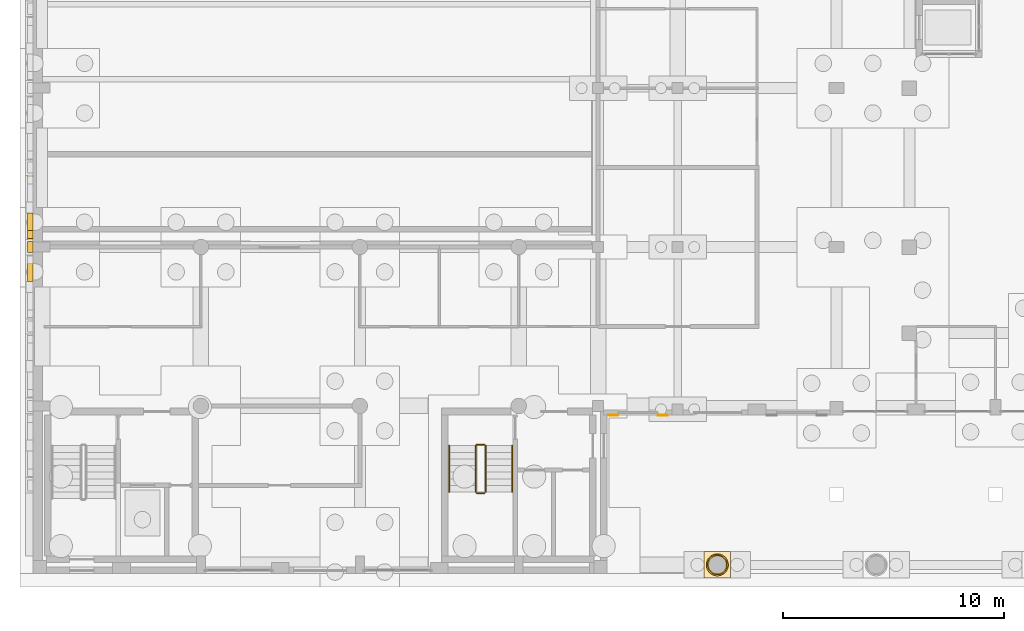
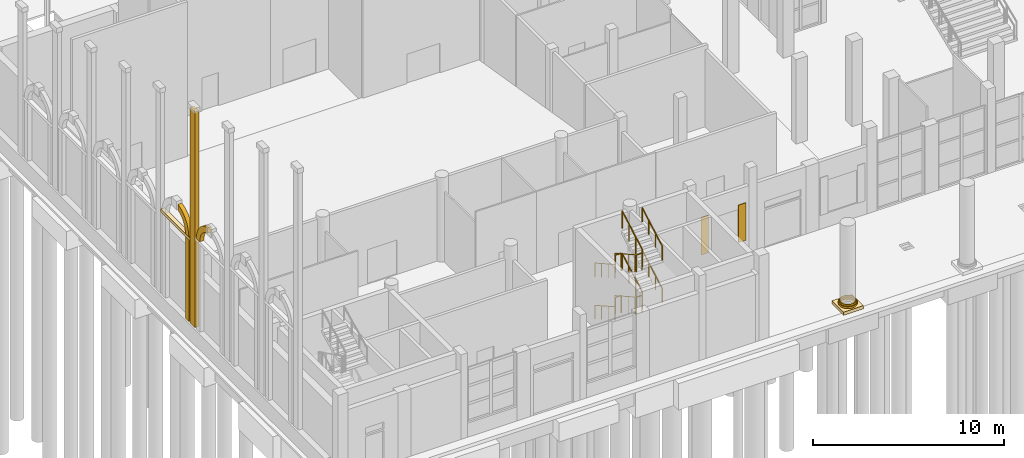
# One storey, part 57 of 80: 12 railings, 8 coverings, 2 shading devices.
"""IFC4 building model written with IfcOpenShell, lengths in metres."""

from ifc_helpers import new_model, si_unit, direction, frame, origin, origin_2d, place, context, subcontext, project, spatial, polyline, rectangle, circle, outline, extrude, material, layer, layer_set, type_object, element, save


model = new_model("IFC4")

# Units and contexts
model_context = context("Model", 3, precision=1e-05, world=origin(), true_north=direction((0.0, 1.0)))
body_context = subcontext(model_context, "Body", "Model", "MODEL_VIEW")
ifc_project = project(units=[si_unit("LENGTHUNIT", "METRE"), si_unit("AREAUNIT", "SQUARE_METRE"), si_unit("VOLUMEUNIT", "CUBIC_METRE"), si_unit("PLANEANGLEUNIT", "RADIAN"), si_unit("MASSUNIT", "GRAM", prefix="KILO")], contexts=[model_context])

# Site, building, storey
site_placement = place(None, origin())
site = spatial("IfcSite", under=ifc_project, at=site_placement, CompositionType="ELEMENT")
building_placement = place(site_placement, origin())
building = spatial("IfcBuilding", under=site, at=building_placement, Name="Ussher Court Research Institute", CompositionType="ELEMENT")
storey_placement = place(building_placement, origin())
storey = spatial("IfcBuildingStorey", under=building, at=storey_placement, Name="L00", CompositionType="ELEMENT", Elevation=0.0)

# Coverings
ifc_material_1 = material(Name="Limestone cornice", Category="masonry")
covering_type_1 = type_object("IfcCoveringType", Name="Arcade impost course 250x200", PredefinedType="CLADDING", material=ifc_material_1)
covering_1_placement = place(storey_placement, frame((2.47509765625, 20.199951171875, 6.2021484375), z_axis=(0.0, 0.0, 1.0), x_axis=(1.0, 0.0, 0.0)))
element("IfcCovering", 1, at=covering_1_placement, inside=storey, type_object=covering_type_1, Name="Arcade impost course CC39", PredefinedType="CLADDING", context=body_context, shape_type="SweptSolid", body=[
    extrude(rectangle(XDim=0.25, YDim=3.10009765625, at=origin_2d()), origin(), (0.0, 0.0, 1.0), 0.199951171875),
])
ifc_material_2 = material(Name="Limestone cornice", Category="masonry")
covering_type_2 = type_object("IfcCoveringType", Name="Arcade jamb 350x250", PredefinedType="CLADDING", material=ifc_material_2)
covering_2_placement = place(storey_placement, frame((2.47509765625, 18.97509765625, 1.0), z_axis=(0.0, 0.0, 1.0), x_axis=(1.0, 0.0, 0.0)))
element("IfcCovering", 2, at=covering_2_placement, inside=storey, type_object=covering_type_2, Name="Arcade jamb CC40", PredefinedType="CLADDING", context=body_context, shape_type="SweptSolid", body=[
    extrude(rectangle(XDim=0.25, YDim=0.35009765625, at=origin_2d()), origin(), (0.0, 0.0, 1.0), 5.2021484375),
])
ifc_material_3 = material(Name="Limestone cornice", Category="masonry")
covering_type_3 = type_object("IfcCoveringType", Name="Archivolt 2100 span", PredefinedType="CLADDING", material=ifc_material_3)
covering_3_placement = place(storey_placement, frame((2.35009765625, 16.60009765625, 6.7802734375), z_axis=(1.0, 0.0, 0.0), x_axis=(0.0, 1.0, 0.0)))
element("IfcCovering", 3, at=covering_3_placement, inside=storey, type_object=covering_type_3, Name="Archivolt CC41", PredefinedType="CLADDING", context=body_context, shape_type="SweptSolid", body=[
    extrude(outline(polyline([(0.273193359375, 1.373046875), (0.25, 1.377197265625), (0.25, 1.019775390625), (0.271728515625, 1.01416015625), (0.3046875, 1.0048828125), (0.33740234375, 0.994384765625), (0.369873046875, 0.982666015625), (0.40185546875, 0.97021484375), (0.433349609375, 0.956298828125), (0.46435546875, 0.941650390625), (0.4951171875, 0.926025390625), (0.52490234375, 0.9091796875), (0.554443359375, 0.8916015625), (0.583251953125, 0.873046875), (0.611572265625, 0.853515625), (0.63916015625, 0.8330078125), (0.666015625, 0.811767578125), (0.6923828125, 0.789306640625), (0.7177734375, 0.766357421875), (0.742431640625, 0.742431640625), (0.766357421875, 0.7177734375), (0.789306640625, 0.6923828125), (0.811767578125, 0.666015625), (0.8330078125, 0.63916015625), (0.853515625, 0.611572265625), (0.873046875, 0.583251953125), (0.8916015625, 0.554443359375), (0.9091796875, 0.52490234375), (0.926025390625, 0.4951171875), (0.941650390625, 0.46435546875), (0.956298828125, 0.433349609375), (0.97021484375, 0.40185546875), (0.982666015625, 0.369873046875), (0.994384765625, 0.33740234375), (1.0048828125, 0.3046875), (1.01416015625, 0.271728515625), (1.022705078125, 0.23828125), (1.02978515625, 0.204833984375), (1.035888671875, 0.1708984375), (1.041015625, 0.13720703125), (1.044921875, 0.102783203125), (1.0478515625, 0.068603515625), (1.04931640625, 0.034423828125), (1.050048828125, 0.0), (1.39990234375, 0.0), (1.3994140625, 0.0458984375), (1.39697265625, 0.091552734375), (1.393310546875, 0.13720703125), (1.387939453125, 0.1826171875), (1.38134765625, 0.22802734375), (1.373046875, 0.273193359375), (1.36328125, 0.31787109375), (1.352294921875, 0.3623046875), (1.339599609375, 0.406494140625), (1.32568359375, 0.449951171875), (1.310302734375, 0.4931640625), (1.29345703125, 0.535888671875), (1.275146484375, 0.577880859375), (1.255615234375, 0.619140625), (1.234619140625, 0.659912109375), (1.21240234375, 0.699951171875), (1.18896484375, 0.7392578125), (1.1640625, 0.77783203125), (1.137939453125, 0.8154296875), (1.110595703125, 0.852294921875), (1.082275390625, 0.88818359375), (1.052490234375, 0.923095703125), (1.021728515625, 0.95703125), (0.989990234375, 0.989990234375), (0.95703125, 1.021728515625), (0.923095703125, 1.052490234375), (0.88818359375, 1.082275390625), (0.852294921875, 1.110595703125), (0.8154296875, 1.137939453125), (0.77783203125, 1.1640625), (0.7392578125, 1.18896484375), (0.699951171875, 1.21240234375), (0.659912109375, 1.234619140625), (0.619140625, 1.255615234375), (0.577880859375, 1.275146484375), (0.535888671875, 1.29345703125), (0.4931640625, 1.310302734375), (0.449951171875, 1.32568359375), (0.406494140625, 1.339599609375), (0.3623046875, 1.352294921875), (0.31787109375, 1.36328125), (0.273193359375, 1.373046875)])), origin(), (0.0, 0.0, 1.0), 0.25),
])
covering_4_placement = place(storey_placement, frame((2.35009765625, 20.199951171875, 6.402099609375), z_axis=(1.0, 0.0, 0.0), x_axis=(0.0, 1.0, 0.0)))
element("IfcCovering", 4, at=covering_4_placement, inside=storey, type_object=covering_type_3, Name="Archivolt CC41", PredefinedType="CLADDING", context=body_context, shape_type="SweptSolid", body=[
    extrude(outline(polyline([(-0.273193359375, 1.373046875), (-0.31787109375, 1.36328125), (-0.3623046875, 1.352294921875), (-0.406494140625, 1.339599609375), (-0.449951171875, 1.32568359375), (-0.4931640625, 1.310302734375), (-0.535888671875, 1.29345703125), (-0.577880859375, 1.275146484375), (-0.619140625, 1.255615234375), (-0.659912109375, 1.234619140625), (-0.699951171875, 1.21240234375), (-0.7392578125, 1.18896484375), (-0.77783203125, 1.1640625), (-0.8154296875, 1.137939453125), (-0.852294921875, 1.110595703125), (-0.88818359375, 1.082275390625), (-0.923095703125, 1.052490234375), (-0.95703125, 1.021728515625), (-0.989990234375, 0.989990234375), (-1.021728515625, 0.95703125), (-1.052490234375, 0.923095703125), (-1.082275390625, 0.88818359375), (-1.110595703125, 0.852294921875), (-1.137939453125, 0.8154296875), (-1.1640625, 0.77783203125), (-1.18896484375, 0.7392578125), (-1.21240234375, 0.699951171875), (-1.234619140625, 0.659912109375), (-1.255615234375, 0.619140625), (-1.275146484375, 0.577880859375), (-1.29345703125, 0.535888671875), (-1.310302734375, 0.4931640625), (-1.32568359375, 0.449951171875), (-1.339599609375, 0.406494140625), (-1.352294921875, 0.3623046875), (-1.36328125, 0.31787109375), (-1.373046875, 0.273193359375), (-1.38134765625, 0.22802734375), (-1.387939453125, 0.1826171875), (-1.393310546875, 0.13720703125), (-1.39697265625, 0.091552734375), (-1.3994140625, 0.0458984375), (-1.39990234375, 0.0), (-1.050048828125, 0.0), (-1.04931640625, 0.034423828125), (-1.0478515625, 0.068603515625), (-1.044921875, 0.102783203125), (-1.041015625, 0.13720703125), (-1.035888671875, 0.1708984375), (-1.02978515625, 0.204833984375), (-1.022705078125, 0.23828125), (-1.01416015625, 0.271728515625), (-1.0048828125, 0.3046875), (-0.994384765625, 0.33740234375), (-0.982666015625, 0.369873046875), (-0.97021484375, 0.40185546875), (-0.956298828125, 0.433349609375), (-0.941650390625, 0.46435546875), (-0.926025390625, 0.4951171875), (-0.9091796875, 0.52490234375), (-0.8916015625, 0.554443359375), (-0.873046875, 0.583251953125), (-0.853515625, 0.611572265625), (-0.8330078125, 0.63916015625), (-0.811767578125, 0.666015625), (-0.789306640625, 0.6923828125), (-0.766357421875, 0.7177734375), (-0.742431640625, 0.742431640625), (-0.7177734375, 0.766357421875), (-0.6923828125, 0.789306640625), (-0.666015625, 0.811767578125), (-0.63916015625, 0.8330078125), (-0.611572265625, 0.853515625), (-0.583251953125, 0.873046875), (-0.554443359375, 0.8916015625), (-0.52490234375, 0.9091796875), (-0.4951171875, 0.926025390625), (-0.46435546875, 0.941650390625), (-0.433349609375, 0.956298828125), (-0.40185546875, 0.97021484375), (-0.369873046875, 0.982666015625), (-0.33740234375, 0.994384765625), (-0.3046875, 1.0048828125), (-0.271728515625, 1.01416015625), (-0.25, 1.019775390625), (-0.25, 1.377197265625), (-0.273193359375, 1.373046875)])), origin(), (0.0, 0.0, 1.0), 0.25),
])
ifc_material_4 = material(Name="Limestone cornice", Category="masonry")
covering_type_4 = type_object("IfcCoveringType", Name="Column base fillet 800 896x100", PredefinedType="CLADDING", material=ifc_material_4)
covering_5_placement = place(storey_placement, frame((0.0, 0.0, 0.320068359375)))
element("IfcCovering", 5, at=covering_5_placement, inside=storey, type_object=covering_type_4, Name="Column base CC15", PredefinedType="CLADDING", context=body_context, shape_type="SweptSolid", body=[
    extrude(outline(polyline([(34.048095703125, 4.0), (34.044189453125, 4.05859375), (34.03271484375, 4.115966796875), (34.013916015625, 4.17138671875), (33.988037109375, 4.22412109375), (33.955322265625, 4.272705078125), (33.916748046875, 4.31689453125), (33.872802734375, 4.35546875), (33.823974609375, 4.387939453125), (33.771484375, 4.413818359375), (33.716064453125, 4.4326171875), (33.658447265625, 4.444091796875), (33.60009765625, 4.447998046875), (33.54150390625, 4.444091796875), (33.48388671875, 4.4326171875), (33.4287109375, 4.413818359375), (33.3759765625, 4.387939453125), (33.327392578125, 4.35546875), (33.283203125, 4.31689453125), (33.24462890625, 4.272705078125), (33.2119140625, 4.22412109375), (33.18603515625, 4.17138671875), (33.167236328125, 4.115966796875), (33.15576171875, 4.05859375), (33.152099609375, 4.0), (33.15576171875, 3.94140625), (33.167236328125, 3.884033203125), (33.18603515625, 3.82861328125), (33.2119140625, 3.77587890625), (33.24462890625, 3.727294921875), (33.283203125, 3.68310546875), (33.327392578125, 3.64453125), (33.3759765625, 3.612060546875), (33.4287109375, 3.586181640625), (33.48388671875, 3.5673828125), (33.54150390625, 3.555908203125), (33.60009765625, 3.552001953125), (33.658447265625, 3.555908203125), (33.716064453125, 3.5673828125), (33.771484375, 3.586181640625), (33.823974609375, 3.612060546875), (33.872802734375, 3.64453125), (33.916748046875, 3.68310546875), (33.955322265625, 3.727294921875), (33.988037109375, 3.77587890625), (34.013916015625, 3.82861328125), (34.03271484375, 3.884033203125), (34.044189453125, 3.94140625), (34.048095703125, 4.0)]), holes=[polyline([(34.0009765625, 4.0), (33.997314453125, 4.05224609375), (33.9873046875, 4.103759765625), (33.97021484375, 4.1533203125), (33.947265625, 4.200439453125), (33.91796875, 4.243896484375), (33.88330078125, 4.283447265625), (33.843994140625, 4.318115234375), (33.80029296875, 4.34716796875), (33.75341796875, 4.370361328125), (33.70361328125, 4.38720703125), (33.65234375, 4.3974609375), (33.60009765625, 4.40087890625), (33.547607421875, 4.3974609375), (33.496337890625, 4.38720703125), (33.446533203125, 4.370361328125), (33.399658203125, 4.34716796875), (33.35595703125, 4.318115234375), (33.316650390625, 4.283447265625), (33.281982421875, 4.243896484375), (33.252685546875, 4.200439453125), (33.229736328125, 4.1533203125), (33.212890625, 4.103759765625), (33.20263671875, 4.05224609375), (33.19921875, 4.0), (33.20263671875, 3.94775390625), (33.212890625, 3.896240234375), (33.229736328125, 3.8466796875), (33.252685546875, 3.799560546875), (33.281982421875, 3.756103515625), (33.316650390625, 3.716552734375), (33.35595703125, 3.681884765625), (33.399658203125, 3.65283203125), (33.446533203125, 3.629638671875), (33.496337890625, 3.61279296875), (33.547607421875, 3.6025390625), (33.60009765625, 3.59912109375), (33.65234375, 3.6025390625), (33.70361328125, 3.61279296875), (33.75341796875, 3.629638671875), (33.80029296875, 3.65283203125), (33.843994140625, 3.681884765625), (33.88330078125, 3.716552734375), (33.91796875, 3.756103515625), (33.947265625, 3.799560546875), (33.97021484375, 3.8466796875), (33.9873046875, 3.896240234375), (33.997314453125, 3.94775390625), (34.0009765625, 4.0)])]), origin(), (0.0, 0.0, 1.0), 0.099853515625),
])
ifc_material_5 = material(Name="Limestone cornice", Category="masonry")
covering_type_5 = type_object("IfcCoveringType", Name="Column base torus 800 1000x120", PredefinedType="CLADDING", material=ifc_material_5)
covering_6_placement = place(storey_placement, frame((0.0, 0.0, 0.199951171875)))
element("IfcCovering", 6, at=covering_6_placement, inside=storey, type_object=covering_type_5, Name="Column base CC14", PredefinedType="CLADDING", context=body_context, shape_type="SweptSolid", body=[
    extrude(outline(polyline([(34.10009765625, 4.0), (34.095703125, 4.065185546875), (34.0830078125, 4.12939453125), (34.06201171875, 4.19140625), (34.032958984375, 4.25), (33.99658203125, 4.304443359375), (33.95361328125, 4.353515625), (33.904296875, 4.396728515625), (33.85009765625, 4.43310546875), (33.791259765625, 4.4619140625), (33.7294921875, 4.48291015625), (33.665283203125, 4.49560546875), (33.60009765625, 4.5), (33.53466796875, 4.49560546875), (33.470703125, 4.48291015625), (33.40869140625, 4.4619140625), (33.35009765625, 4.43310546875), (33.295654296875, 4.396728515625), (33.246337890625, 4.353515625), (33.203369140625, 4.304443359375), (33.1669921875, 4.25), (33.13818359375, 4.19140625), (33.116943359375, 4.12939453125), (33.104248046875, 4.065185546875), (33.10009765625, 4.0), (33.104248046875, 3.934814453125), (33.116943359375, 3.87060546875), (33.13818359375, 3.80859375), (33.1669921875, 3.75), (33.203369140625, 3.695556640625), (33.246337890625, 3.646484375), (33.295654296875, 3.603271484375), (33.35009765625, 3.56689453125), (33.40869140625, 3.5380859375), (33.470703125, 3.51708984375), (33.53466796875, 3.50439453125), (33.60009765625, 3.5), (33.665283203125, 3.50439453125), (33.7294921875, 3.51708984375), (33.791259765625, 3.5380859375), (33.85009765625, 3.56689453125), (33.904296875, 3.603271484375), (33.95361328125, 3.646484375), (33.99658203125, 3.695556640625), (34.032958984375, 3.75), (34.06201171875, 3.80859375), (34.0830078125, 3.87060546875), (34.095703125, 3.934814453125), (34.10009765625, 4.0)]), holes=[polyline([(34.0009765625, 4.0), (33.997314453125, 4.05224609375), (33.9873046875, 4.103759765625), (33.97021484375, 4.1533203125), (33.947265625, 4.200439453125), (33.91796875, 4.243896484375), (33.88330078125, 4.283447265625), (33.843994140625, 4.318115234375), (33.80029296875, 4.34716796875), (33.75341796875, 4.370361328125), (33.70361328125, 4.38720703125), (33.65234375, 4.3974609375), (33.60009765625, 4.40087890625), (33.547607421875, 4.3974609375), (33.496337890625, 4.38720703125), (33.446533203125, 4.370361328125), (33.399658203125, 4.34716796875), (33.35595703125, 4.318115234375), (33.316650390625, 4.283447265625), (33.281982421875, 4.243896484375), (33.252685546875, 4.200439453125), (33.229736328125, 4.1533203125), (33.212890625, 4.103759765625), (33.20263671875, 4.05224609375), (33.19921875, 4.0), (33.20263671875, 3.94775390625), (33.212890625, 3.896240234375), (33.229736328125, 3.8466796875), (33.252685546875, 3.799560546875), (33.281982421875, 3.756103515625), (33.316650390625, 3.716552734375), (33.35595703125, 3.681884765625), (33.399658203125, 3.65283203125), (33.446533203125, 3.629638671875), (33.496337890625, 3.61279296875), (33.547607421875, 3.6025390625), (33.60009765625, 3.59912109375), (33.65234375, 3.6025390625), (33.70361328125, 3.61279296875), (33.75341796875, 3.629638671875), (33.80029296875, 3.65283203125), (33.843994140625, 3.681884765625), (33.88330078125, 3.716552734375), (33.91796875, 3.756103515625), (33.947265625, 3.799560546875), (33.97021484375, 3.8466796875), (33.9873046875, 3.896240234375), (33.997314453125, 3.94775390625), (34.0009765625, 4.0)])]), origin(), (0.0, 0.0, 1.0), 0.1201171875),
])
ifc_material_6 = material(Name="Limestone cornice", Category="masonry")
covering_type_6 = type_object("IfcCoveringType", Name="Column plinth 800 1200x200", PredefinedType="CLADDING", material=ifc_material_6)
covering_7_placement = place(storey_placement, origin())
element("IfcCovering", 7, at=covering_7_placement, inside=storey, type_object=covering_type_6, Name="Column base CC13", PredefinedType="CLADDING", context=body_context, shape_type="SweptSolid", body=[
    extrude(outline(polyline([(34.199951171875, 3.39990234375), (34.199951171875, 4.60009765625), (33.0, 4.60009765625), (33.0, 3.39990234375), (34.199951171875, 3.39990234375)]), holes=[polyline([(34.0009765625, 4.0), (33.997314453125, 4.05224609375), (33.9873046875, 4.103759765625), (33.97021484375, 4.1533203125), (33.947265625, 4.200439453125), (33.91796875, 4.243896484375), (33.88330078125, 4.283447265625), (33.843994140625, 4.318115234375), (33.80029296875, 4.34716796875), (33.75341796875, 4.370361328125), (33.70361328125, 4.38720703125), (33.65234375, 4.3974609375), (33.60009765625, 4.40087890625), (33.547607421875, 4.3974609375), (33.496337890625, 4.38720703125), (33.446533203125, 4.370361328125), (33.399658203125, 4.34716796875), (33.35595703125, 4.318115234375), (33.316650390625, 4.283447265625), (33.281982421875, 4.243896484375), (33.252685546875, 4.200439453125), (33.229736328125, 4.1533203125), (33.212890625, 4.103759765625), (33.20263671875, 4.05224609375), (33.19921875, 4.0), (33.20263671875, 3.94775390625), (33.212890625, 3.896240234375), (33.229736328125, 3.8466796875), (33.252685546875, 3.799560546875), (33.281982421875, 3.756103515625), (33.316650390625, 3.716552734375), (33.35595703125, 3.681884765625), (33.399658203125, 3.65283203125), (33.446533203125, 3.629638671875), (33.496337890625, 3.61279296875), (33.547607421875, 3.6025390625), (33.60009765625, 3.59912109375), (33.65234375, 3.6025390625), (33.70361328125, 3.61279296875), (33.75341796875, 3.629638671875), (33.80029296875, 3.65283203125), (33.843994140625, 3.681884765625), (33.88330078125, 3.716552734375), (33.91796875, 3.756103515625), (33.947265625, 3.799560546875), (33.97021484375, 3.8466796875), (33.9873046875, 3.896240234375), (33.997314453125, 3.94775390625), (34.0009765625, 4.0)])]), origin(), (0.0, 0.0, 1.0), 0.199951171875),
])

# Shading devices
ifc_material_7 = material(Name="Timber louvred shutter", Category="wood")
ifc_layer = layer(ifc_material_7, 0.0400390625)
ifc_layer_set = layer_set([ifc_layer], Name="Timber louvred shutter")
shading_device_type = type_object("IfcShadingDeviceType", Name="Louvred shutter leaf 450x2400", PredefinedType="USERDEFINED", material=ifc_layer_set)
for number, where, z_axis, x_axis, name in (
    (8, (31.125, 10.780029296875, 0.900146484375), (0.0, 0.0, 1.0), (-1.0, 0.0, 0.0), "Shutter LV2 L00"),
    (9, (28.875, 10.780029296875, 0.900146484375), (0.0, 0.0, 1.0), (-1.0, 0.0, 0.0), "Shutter LV2 L00"),
):
    element("IfcShadingDevice", number, at=place(storey_placement, frame(where, z_axis=z_axis, x_axis=x_axis)), inside=storey, type_object=shading_device_type, Name=name, ObjectType="SHUTTER", PredefinedType="USERDEFINED", context=body_context, shape_type="SweptSolid", body=[
        extrude(rectangle(XDim=0.449951171875, YDim=0.0400390625, at=origin_2d()), origin(), (0.0, 0.0, 1.0), 2.39990234375),
    ])

# Covering
ifc_material_8 = material(Name="Limestone cornice", Category="masonry")
covering_type_7 = type_object("IfcCoveringType", Name="Pilaster strip 500x250", PredefinedType="CLADDING", material=ifc_material_8)
covering_8_placement = place(storey_placement, frame((2.47509765625, 18.39990234375, 1.0), z_axis=(0.0, 0.0, 1.0), x_axis=(1.0, 0.0, 0.0)))
element("IfcCovering", 10, at=covering_8_placement, inside=storey, type_object=covering_type_7, Name="Pilaster strip CC9", PredefinedType="CLADDING", context=body_context, shape_type="SweptSolid", body=[
    extrude(rectangle(XDim=0.25, YDim=0.5, at=origin_2d()), origin(), (0.0, 0.0, 1.0), 13.762451171875),
])

# Railings
ifc_material_9 = material(Name="Painted steel balustrade", Category="steel")
railing_type_1 = type_object("IfcRailingType", Name="Stair guard 1100 steel balustrade", PredefinedType="GUARDRAIL", material=ifc_material_9)
railing_1_placement = place(storey_placement, frame((22.64990234375, 9.39990234375, 0.168701171875)))
element("IfcRailing", 11, at=railing_1_placement, inside=storey, type_object=railing_type_1, Name="L00 H2 stair guard 1", PredefinedType="GUARDRAIL", context=body_context, shape_type="SweptSolid", body=[
    extrude(circle(Radius=0.02392578125, at=origin_2d()), frame((0.0, 0.0, 1.076171875), z_axis=(0.0, -0.871534942205, 0.490333401387), x_axis=(1.0, 0.0, 0.0)), (0.0, 0.0, 1.0), 2.409423828125),
    extrude(circle(Radius=0.02099609375, at=origin_2d()), origin(), (0.0, 0.0, 1.0), 1.052001953125),
    extrude(circle(Radius=0.02099609375, at=origin_2d()), frame((0.0, -0.699951171875, 0.393798828125)), (0.0, 0.0, 1.0), 1.052001953125),
    extrude(circle(Radius=0.02099609375, at=origin_2d()), frame((0.0, -1.39990234375, 0.78759765625)), (0.0, 0.0, 1.0), 1.052001953125),
    extrude(circle(Radius=0.02099609375, at=origin_2d()), frame((0.0, -2.099853515625, 1.181396484375)), (0.0, 0.0, 1.0), 1.052001953125),
])
railing_2_placement = place(storey_placement, frame((22.699951171875, 7.25, 1.35009765625)))
element("IfcRailing", 12, at=railing_2_placement, inside=storey, type_object=railing_type_1, Name="L00 H2 stair guard 2", PredefinedType="GUARDRAIL", context=body_context, shape_type="SweptSolid", body=[
    extrude(circle(Radius=0.02392578125, at=origin_2d()), frame((0.0, 0.0, 1.076171875), z_axis=(1.0, 0.0, 0.0), x_axis=(0.0, 1.0, 0.0)), (0.0, 0.0, 1.0), 0.35009765625),
    extrude(circle(Radius=0.02099609375, at=origin_2d()), origin(), (0.0, 0.0, 1.0), 1.052001953125),
    extrude(circle(Radius=0.02099609375, at=origin_2d()), frame((0.35009765625, 0.0, 0.0)), (0.0, 0.0, 1.0), 1.052001953125),
])
railing_3_placement = place(storey_placement, frame((23.10009765625, 7.300048828125, 1.518798828125)))
element("IfcRailing", 13, at=railing_3_placement, inside=storey, type_object=railing_type_1, Name="L00 H2 stair guard 3", PredefinedType="GUARDRAIL", context=body_context, shape_type="SweptSolid", body=[
    extrude(circle(Radius=0.02392578125, at=origin_2d()), frame((0.0, 0.0, 1.076171875), z_axis=(0.0, 0.871578243375, 0.49025642849), x_axis=(-1.0, 0.0, 0.0)), (0.0, 0.0, 1.0), 2.4091796875),
    extrude(circle(Radius=0.02099609375, at=origin_2d()), origin(), (0.0, 0.0, 1.0), 1.052001953125),
    extrude(circle(Radius=0.02099609375, at=origin_2d()), frame((0.0, 0.699951171875, 0.393798828125)), (0.0, 0.0, 1.0), 1.052001953125),
    extrude(circle(Radius=0.02099609375, at=origin_2d()), frame((0.0, 1.39990234375, 0.787353515625)), (0.0, 0.0, 1.0), 1.052001953125),
    extrude(circle(Radius=0.02099609375, at=origin_2d()), frame((0.0, 2.099853515625, 1.18115234375)), (0.0, 0.0, 1.0), 1.052001953125),
])
railing_4_placement = place(storey_placement, frame((22.699951171875, 9.449951171875, 2.699951171875)))
element("IfcRailing", 14, at=railing_4_placement, inside=storey, type_object=railing_type_1, Name="L00 H2 stair guard 4", PredefinedType="GUARDRAIL", context=body_context, shape_type="SweptSolid", body=[
    extrude(circle(Radius=0.02392578125, at=origin_2d()), frame((0.0, 0.0, 1.076171875), z_axis=(1.0, 0.0, 0.0), x_axis=(0.0, 1.0, 0.0)), (0.0, 0.0, 1.0), 0.35009765625),
    extrude(circle(Radius=0.02099609375, at=origin_2d()), origin(), (0.0, 0.0, 1.0), 1.052001953125),
    extrude(circle(Radius=0.02099609375, at=origin_2d()), frame((0.35009765625, 0.0, 0.0)), (0.0, 0.0, 1.0), 1.052001953125),
])
railing_5_placement = place(storey_placement, frame((22.64990234375, 9.39990234375, 2.86865234375)))
element("IfcRailing", 15, at=railing_5_placement, inside=storey, type_object=railing_type_1, Name="L00 H2 stair guard 5", PredefinedType="GUARDRAIL", context=body_context, shape_type="SweptSolid", body=[
    extrude(circle(Radius=0.02392578125, at=origin_2d()), frame((0.0, 0.0, 1.076171875), z_axis=(0.0, -0.871534942205, 0.490333401387), x_axis=(1.0, 0.0, 0.0)), (0.0, 0.0, 1.0), 2.409423828125),
    extrude(circle(Radius=0.02099609375, at=origin_2d()), origin(), (0.0, 0.0, 1.0), 1.052001953125),
    extrude(circle(Radius=0.02099609375, at=origin_2d()), frame((0.0, -0.699951171875, 0.393798828125)), (0.0, 0.0, 1.0), 1.052001953125),
    extrude(circle(Radius=0.02099609375, at=origin_2d()), frame((0.0, -1.39990234375, 0.78759765625)), (0.0, 0.0, 1.0), 1.052001953125),
    extrude(circle(Radius=0.02099609375, at=origin_2d()), frame((0.0, -2.099853515625, 1.181396484375)), (0.0, 0.0, 1.0), 1.052001953125),
])
railing_6_placement = place(storey_placement, frame((22.699951171875, 7.25, 4.050048828125)))
element("IfcRailing", 16, at=railing_6_placement, inside=storey, type_object=railing_type_1, Name="L00 H2 stair guard 6", PredefinedType="GUARDRAIL", context=body_context, shape_type="SweptSolid", body=[
    extrude(circle(Radius=0.02392578125, at=origin_2d()), frame((0.0, 0.0, 1.076171875), z_axis=(1.0, 0.0, 0.0), x_axis=(0.0, 1.0, 0.0)), (0.0, 0.0, 1.0), 0.35009765625),
    extrude(circle(Radius=0.02099609375, at=origin_2d()), origin(), (0.0, 0.0, 1.0), 1.052001953125),
    extrude(circle(Radius=0.02099609375, at=origin_2d()), frame((0.35009765625, 0.0, 0.0)), (0.0, 0.0, 1.0), 1.052001953125),
])
railing_7_placement = place(storey_placement, frame((23.10009765625, 7.300048828125, 4.21875)))
element("IfcRailing", 17, at=railing_7_placement, inside=storey, type_object=railing_type_1, Name="L00 H2 stair guard 7", PredefinedType="GUARDRAIL", context=body_context, shape_type="SweptSolid", body=[
    extrude(circle(Radius=0.02392578125, at=origin_2d()), frame((0.0, 0.0, 1.076171875), z_axis=(0.0, 0.871578243375, 0.49025642849), x_axis=(-1.0, 0.0, 0.0)), (0.0, 0.0, 1.0), 2.4091796875),
    extrude(circle(Radius=0.02099609375, at=origin_2d()), origin(), (0.0, 0.0, 1.0), 1.052001953125),
    extrude(circle(Radius=0.02099609375, at=origin_2d()), frame((0.0, 0.699951171875, 0.393798828125)), (0.0, 0.0, 1.0), 1.052001953125),
    extrude(circle(Radius=0.02099609375, at=origin_2d()), frame((0.0, 1.39990234375, 0.787353515625)), (0.0, 0.0, 1.0), 1.052001953125),
    extrude(circle(Radius=0.02099609375, at=origin_2d()), frame((0.0, 2.099853515625, 1.18115234375)), (0.0, 0.0, 1.0), 1.052001953125),
])
railing_8_placement = place(storey_placement, frame((22.699951171875, 9.449951171875, 0.0)))
element("IfcRailing", 18, at=railing_8_placement, inside=storey, type_object=railing_type_1, Name="L00 H2 stair guard 8", PredefinedType="GUARDRAIL", context=body_context, shape_type="SweptSolid", body=[
    extrude(circle(Radius=0.02392578125, at=origin_2d()), frame((0.0, 0.0, 1.076171875), z_axis=(1.0, 0.0, 0.0), x_axis=(0.0, 1.0, 0.0)), (0.0, 0.0, 1.0), 0.35009765625),
    extrude(circle(Radius=0.02099609375, at=origin_2d()), origin(), (0.0, 0.0, 1.0), 1.052001953125),
    extrude(circle(Radius=0.02099609375, at=origin_2d()), frame((0.35009765625, 0.0, 0.0)), (0.0, 0.0, 1.0), 1.052001953125),
])
ifc_material_10 = material(Name="Painted steel handrail", Category="steel")
railing_type_2 = type_object("IfcRailingType", Name="Stair handrail 900 steel", PredefinedType="HANDRAIL", material=ifc_material_10)
railing_9_placement = place(storey_placement, frame((21.449951171875, 9.39990234375, 0.168701171875)))
element("IfcRailing", 19, at=railing_9_placement, inside=storey, type_object=railing_type_2, Name="L00 H2 stair handrail 1", PredefinedType="HANDRAIL", context=body_context, shape_type="SweptSolid", body=[
    extrude(circle(Radius=0.02392578125, at=origin_2d()), frame((0.0, 0.0, 0.8759765625), z_axis=(0.0, -0.871534942205, 0.490333401387), x_axis=(1.0, 0.0, 0.0)), (0.0, 0.0, 1.0), 2.409423828125),
    extrude(circle(Radius=0.02099609375, at=origin_2d()), origin(), (0.0, 0.0, 1.0), 0.851806640625),
    extrude(circle(Radius=0.02099609375, at=origin_2d()), frame((0.0, -0.699951171875, 0.393798828125)), (0.0, 0.0, 1.0), 0.851806640625),
    extrude(circle(Radius=0.02099609375, at=origin_2d()), frame((0.0, -1.39990234375, 0.78759765625)), (0.0, 0.0, 1.0), 0.851806640625),
    extrude(circle(Radius=0.02099609375, at=origin_2d()), frame((0.0, -2.099853515625, 1.181396484375)), (0.0, 0.0, 1.0), 0.851806640625),
])
railing_10_placement = place(storey_placement, frame((24.300048828125, 7.300048828125, 1.518798828125)))
element("IfcRailing", 20, at=railing_10_placement, inside=storey, type_object=railing_type_2, Name="L00 H2 stair handrail 2", PredefinedType="HANDRAIL", context=body_context, shape_type="SweptSolid", body=[
    extrude(circle(Radius=0.02392578125, at=origin_2d()), frame((0.0, 0.0, 0.8759765625), z_axis=(0.0, 0.871578243375, 0.49025642849), x_axis=(-1.0, 0.0, 0.0)), (0.0, 0.0, 1.0), 2.4091796875),
    extrude(circle(Radius=0.02099609375, at=origin_2d()), origin(), (0.0, 0.0, 1.0), 0.851806640625),
    extrude(circle(Radius=0.02099609375, at=origin_2d()), frame((0.0, 0.699951171875, 0.393798828125)), (0.0, 0.0, 1.0), 0.851806640625),
    extrude(circle(Radius=0.02099609375, at=origin_2d()), frame((0.0, 1.39990234375, 0.787353515625)), (0.0, 0.0, 1.0), 0.851806640625),
    extrude(circle(Radius=0.02099609375, at=origin_2d()), frame((0.0, 2.099853515625, 1.18115234375)), (0.0, 0.0, 1.0), 0.851806640625),
])
railing_11_placement = place(storey_placement, frame((21.449951171875, 9.39990234375, 2.86865234375)))
element("IfcRailing", 21, at=railing_11_placement, inside=storey, type_object=railing_type_2, Name="L00 H2 stair handrail 3", PredefinedType="HANDRAIL", context=body_context, shape_type="SweptSolid", body=[
    extrude(circle(Radius=0.02392578125, at=origin_2d()), frame((0.0, 0.0, 0.8759765625), z_axis=(0.0, -0.871534942205, 0.490333401387), x_axis=(1.0, 0.0, 0.0)), (0.0, 0.0, 1.0), 2.409423828125),
    extrude(circle(Radius=0.02099609375, at=origin_2d()), origin(), (0.0, 0.0, 1.0), 0.851806640625),
    extrude(circle(Radius=0.02099609375, at=origin_2d()), frame((0.0, -0.699951171875, 0.393798828125)), (0.0, 0.0, 1.0), 0.851806640625),
    extrude(circle(Radius=0.02099609375, at=origin_2d()), frame((0.0, -1.39990234375, 0.78759765625)), (0.0, 0.0, 1.0), 0.851806640625),
    extrude(circle(Radius=0.02099609375, at=origin_2d()), frame((0.0, -2.099853515625, 1.181396484375)), (0.0, 0.0, 1.0), 0.851806640625),
])
railing_12_placement = place(storey_placement, frame((24.300048828125, 7.300048828125, 4.21875)))
element("IfcRailing", 22, at=railing_12_placement, inside=storey, type_object=railing_type_2, Name="L00 H2 stair handrail 4", PredefinedType="HANDRAIL", context=body_context, shape_type="SweptSolid", body=[
    extrude(circle(Radius=0.02392578125, at=origin_2d()), frame((0.0, 0.0, 0.8759765625), z_axis=(0.0, 0.871578243375, 0.49025642849), x_axis=(-1.0, 0.0, 0.0)), (0.0, 0.0, 1.0), 2.4091796875),
    extrude(circle(Radius=0.02099609375, at=origin_2d()), origin(), (0.0, 0.0, 1.0), 0.851806640625),
    extrude(circle(Radius=0.02099609375, at=origin_2d()), frame((0.0, 0.699951171875, 0.393798828125)), (0.0, 0.0, 1.0), 0.851806640625),
    extrude(circle(Radius=0.02099609375, at=origin_2d()), frame((0.0, 1.39990234375, 0.787353515625)), (0.0, 0.0, 1.0), 0.851806640625),
    extrude(circle(Radius=0.02099609375, at=origin_2d()), frame((0.0, 2.099853515625, 1.18115234375)), (0.0, 0.0, 1.0), 0.851806640625),
])

save(model, "model.ifc")
